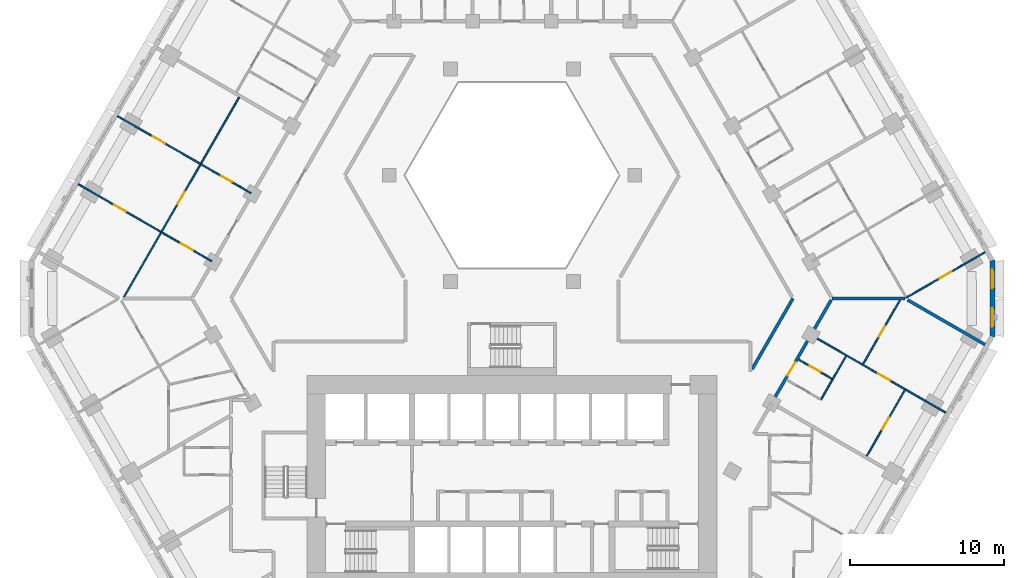
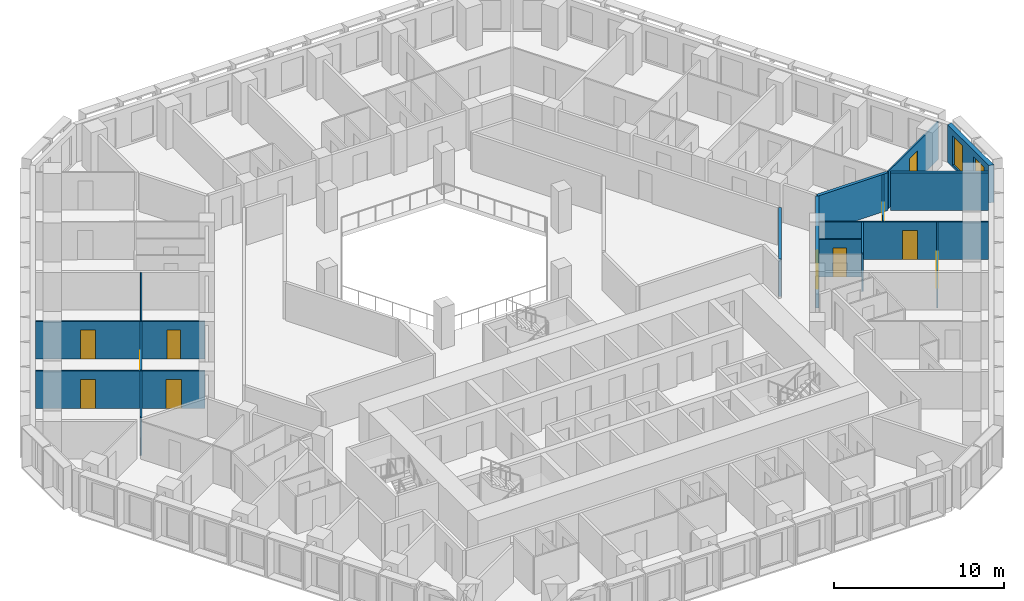
# One storey, part 8 of 21: 16 walls, 11 doors, 2 windows, 13 openings.
"""IFC4 building model written with IfcOpenShell, lengths in metres."""

from ifc_helpers import new_model, si_unit, direction, frame, frame_2d, origin, place, context, subcontext, project, spatial, polyline, rectangle, outline, extrude, material, layer, layer_set, type_object, element, fill, save


model = new_model("IFC4")

# Units and contexts
model_context = context("Model", 3, precision=1e-05, world=origin(), true_north=direction((0.0, 1.0)))
body_context = subcontext(model_context, "Body", "Model", "MODEL_VIEW")
ifc_project = project(units=[si_unit("LENGTHUNIT", "METRE"), si_unit("AREAUNIT", "SQUARE_METRE"), si_unit("VOLUMEUNIT", "CUBIC_METRE"), si_unit("PLANEANGLEUNIT", "RADIAN"), si_unit("MASSUNIT", "GRAM", prefix="KILO")], contexts=[model_context])

# Site, building, storey
site_placement = place(None, origin())
site = spatial("IfcSite", under=ifc_project, at=site_placement, CompositionType="ELEMENT")
building_placement = place(site_placement, origin())
building = spatial("IfcBuilding", under=site, at=building_placement, Name="Beryl Residences", CompositionType="ELEMENT")
storey_placement = place(building_placement, frame((0.0, 0.0, 29.39990234375)))
storey = spatial("IfcBuildingStorey", under=building, at=storey_placement, Name="L08", CompositionType="ELEMENT", Elevation=29.39990234375)

# Wall, openings, windows
ifc_material_1 = material(Name="Composite metal panel with mineral wool insulation")
ifc_layer_1 = layer(ifc_material_1, 0.300048828125)
ifc_layer_set_1 = layer_set([ifc_layer_1], Name="ES1 pale metal composite panel wall 300 mm")
wall_type_1 = type_object("IfcWallType", Name="ES1 pale metal composite panel wall 300 mm", PredefinedType="SOLIDWALL", material=ifc_layer_set_1)
wall_1_placement = place(storey_placement, frame((31.199951171875, -2.5, 0.0), z_axis=(0.0, 0.0, 1.0), x_axis=(0.0, 1.0, 0.0)))
wall_1 = element("IfcWall", 1, at=wall_1_placement, inside=storey, type_object=wall_type_1, Name="ES1 external wall L08 SE-NE", PredefinedType="SOLIDWALL", context=body_context, shape_type="SweptSolid", body=[
    extrude(outline(polyline([(0.0, -0.14990234375), (5.0, -0.14990234375), (4.919677734375, 0.14990234375), (0.080322265625, 0.14990234375), (0.0, -0.14990234375)])), origin(), (0.0, 0.0, 1.0), 2.7001953125),
])
opening_1_placement = place(wall_1_placement, frame((0.64990234375, 0.0, 0.14990234375)))
opening_1 = element("IfcOpeningElement", 2, at=opening_1_placement, cuts=wall_1, Name="Opening W2", PredefinedType="OPENING", context=body_context, shape_type="SweptSolid", body=[
    extrude(rectangle(XDim=1.199951171875, YDim=2.10009765625, at=frame_2d((0.60009765625, 1.050048828125))), frame((0.0, 0.159912109375, 0.0), z_axis=(0.0, -1.0, 0.0), x_axis=(1.0, 0.0, 0.0)), (0.0, 0.0, 1.0), 0.320068359375),
])
opening_2_placement = place(wall_1_placement, frame((3.14990234375, 0.0, 0.14990234375)))
opening_2 = element("IfcOpeningElement", 3, at=opening_2_placement, cuts=wall_1, Name="Opening W2", PredefinedType="OPENING", context=body_context, shape_type="SweptSolid", body=[
    extrude(rectangle(XDim=1.199951171875, YDim=2.10009765625, at=frame_2d((0.60009765625, 1.050048828125))), frame((0.0, 0.159912109375, 0.0), z_axis=(0.0, -1.0, 0.0), x_axis=(1.0, 0.0, 0.0)), (0.0, 0.0, 1.0), 0.320068359375),
])
ifc_material_2 = material(Name="Aluminium and clear glass", Category="aluminium")
window_type = type_object("IfcWindowType", Name="W2 chamfer window 1200 x 2100 mm", PartitioningType="SINGLE_PANEL", PredefinedType="WINDOW", material=ifc_material_2)
window_1_placement = place(opening_1_placement, origin())
window_1 = element("IfcWindow", 4, at=window_1_placement, inside=storey, type_object=window_type, Name="W2 window L08 SE-NE 1", OverallHeight=2.10009765625, OverallWidth=1.199951171875, PartitioningType="SINGLE_PANEL", PredefinedType="WINDOW", context=body_context, shape_type="SweptSolid", body=[
    extrude(rectangle(XDim=1.199951171875, YDim=2.10009765625, at=frame_2d((0.60009765625, 1.050048828125))), frame((0.0, 0.030029296875, 0.0), z_axis=(0.0, -1.0, 0.0), x_axis=(1.0, 0.0, 0.0)), (0.0, 0.0, 1.0), 0.06005859375),
])
fill(opening_1, window_1)
window_2_placement = place(opening_2_placement, origin())
window_2 = element("IfcWindow", 5, at=window_2_placement, inside=storey, type_object=window_type, Name="W2 window L08 SE-NE 2", OverallHeight=2.10009765625, OverallWidth=1.199951171875, PartitioningType="SINGLE_PANEL", PredefinedType="WINDOW", context=body_context, shape_type="SweptSolid", body=[
    extrude(rectangle(XDim=1.199951171875, YDim=2.10009765625, at=frame_2d((0.60009765625, 1.050048828125))), frame((0.0, 0.030029296875, 0.0), z_axis=(0.0, -1.0, 0.0), x_axis=(1.0, 0.0, 0.0)), (0.0, 0.0, 1.0), 0.06005859375),
])
fill(opening_2, window_2)

# Wall, opening, door
ifc_material_3 = material(Name="Gypsum board partition on steel studs", Category="steel")
ifc_layer_2 = layer(ifc_material_3, 0.10009765625)
ifc_layer_set_2 = layer_set([ifc_layer_2], Name="PT1 partition 100 mm gypsum board on steel studs")
wall_type_2 = type_object("IfcWallType", Name="PT1 partition 100 mm gypsum board on steel studs", PredefinedType="PARTITIONING", material=ifc_layer_set_2)
wall_2_placement = place(storey_placement, frame((-28.1640625, 7.4189453125, 0.0), z_axis=(0.0, 0.0, 1.0), x_axis=(0.86607068519, -0.499921562103, 0.0)))
wall_2 = element("IfcWall", 6, at=wall_2_placement, inside=storey, type_object=wall_type_2, Name="Wall PT1 L08 014", PredefinedType="PARTITIONING", context=body_context, shape_type="SweptSolid", body=[
    extrude(rectangle(XDim=6.22705078125, YDim=0.10009765625, at=frame_2d((3.113525390625, 0.0))), origin(), (0.0, 0.0, 1.0), 2.7001953125),
])
opening_3_placement = place(wall_2_placement, frame((2.6630859375, 0.0, 0.0)))
opening_3 = element("IfcOpeningElement", 7, at=opening_3_placement, cuts=wall_2, Name="Opening D0167", PredefinedType="OPENING", context=body_context, shape_type="SweptSolid", body=[
    extrude(rectangle(XDim=0.89990234375, YDim=2.10009765625, at=frame_2d((0.449951171875, 1.050048828125))), frame((0.0, 0.06005859375, 0.0), z_axis=(0.0, -1.0, 0.0), x_axis=(1.0, 0.0, 0.0)), (0.0, 0.0, 1.0), 0.1201171875),
])
ifc_material_4 = material(Name="Timber door leaf", Category="wood")
door_type_1 = type_object("IfcDoorType", Name="D2 room door 900 x 2100 mm", OperationType="SINGLE_SWING_LEFT", PredefinedType="DOOR", material=ifc_material_4)
door_1_placement = place(opening_3_placement, origin())
door_1 = element("IfcDoor", 8, at=door_1_placement, inside=storey, type_object=door_type_1, Name="Door D0167 L08 001", OperationType="SINGLE_SWING_LEFT", OverallHeight=2.10009765625, OverallWidth=0.89990234375, PredefinedType="DOOR", context=body_context, shape_type="SweptSolid", body=[
    extrude(rectangle(XDim=0.89990234375, YDim=2.10009765625, at=frame_2d((0.449951171875, 1.050048828125))), frame((0.0, 0.02490234375, 0.0), z_axis=(0.0, -1.0, 0.0), x_axis=(1.0, 0.0, 0.0)), (0.0, 0.0, 1.0), 0.050048828125),
])
fill(opening_3, door_1)

wall_3_placement = place(storey_placement, frame((-25.611083984375, 11.839111328125, 0.0), z_axis=(0.0, 0.0, 1.0), x_axis=(0.866031483044, -0.499989470266, 0.0)))
wall_3 = element("IfcWall", 9, at=wall_3_placement, inside=storey, type_object=wall_type_2, Name="Wall PT1 L08 015", PredefinedType="PARTITIONING", context=body_context, shape_type="SweptSolid", body=[
    extrude(rectangle(XDim=6.226318359375, YDim=0.10009765625, at=frame_2d((3.11328125, 0.0))), origin(), (0.0, 0.0, 1.0), 2.7001953125),
])
opening_4_placement = place(wall_3_placement, frame((2.6630859375, 0.0, 0.0)))
opening_4 = element("IfcOpeningElement", 10, at=opening_4_placement, cuts=wall_3, Name="Opening D0168", PredefinedType="OPENING", context=body_context, shape_type="SweptSolid", body=[
    extrude(rectangle(XDim=0.89990234375, YDim=2.10009765625, at=frame_2d((0.449951171875, 1.050048828125))), frame((0.0, 0.06005859375, 0.0), z_axis=(0.0, -1.0, 0.0), x_axis=(1.0, 0.0, 0.0)), (0.0, 0.0, 1.0), 0.1201171875),
])
door_2_placement = place(opening_4_placement, origin())
door_2 = element("IfcDoor", 11, at=door_2_placement, inside=storey, type_object=door_type_1, Name="Door D0168 L08 001", OperationType="SINGLE_SWING_RIGHT", OverallHeight=2.10009765625, OverallWidth=0.89990234375, PredefinedType="DOOR", context=body_context, shape_type="SweptSolid", body=[
    extrude(rectangle(XDim=0.89990234375, YDim=2.10009765625, at=frame_2d((0.449951171875, 1.050048828125))), frame((0.0, 0.02490234375, 0.0), z_axis=(0.0, -1.0, 0.0), x_axis=(1.0, 0.0, 0.0)), (0.0, 0.0, 1.0), 0.050048828125),
])
fill(opening_4, door_2)

wall_4_placement = place(storey_placement, frame((18.610107421875, -3.966064453125, 0.0), z_axis=(0.0, 0.0, 1.0), x_axis=(0.865958718457, -0.500115484592, 0.0)))
wall_4 = element("IfcWall", 12, at=wall_4_placement, inside=storey, type_object=wall_type_2, Name="Wall PT1 L08 019", PredefinedType="PARTITIONING", context=body_context, shape_type="SweptSolid", body=[
    extrude(rectangle(XDim=2.50927734375, YDim=0.10009765625, at=frame_2d((1.254638671875, 0.0))), origin(), (0.0, 0.0, 1.0), 2.7001953125),
])
opening_5_placement = place(wall_4_placement, frame((0.830078125, 0.0, 0.0)))
opening_5 = element("IfcOpeningElement", 13, at=opening_5_placement, cuts=wall_4, Name="Opening D0124", PredefinedType="OPENING", context=body_context, shape_type="SweptSolid", body=[
    extrude(rectangle(XDim=0.800048828125, YDim=2.10009765625, at=frame_2d((0.39990234375, 1.050048828125))), frame((0.0, 0.06005859375, 0.0), z_axis=(0.0, -1.0, 0.0), x_axis=(1.0, 0.0, 0.0)), (0.0, 0.0, 1.0), 0.1201171875),
])
ifc_material_5 = material(Name="Timber door leaf", Category="wood")
door_type_2 = type_object("IfcDoorType", Name="D3 bathroom door 800 x 2100 mm", OperationType="SINGLE_SWING_LEFT", PredefinedType="DOOR", material=ifc_material_5)
door_3_placement = place(opening_5_placement, origin())
door_3 = element("IfcDoor", 14, at=door_3_placement, inside=storey, type_object=door_type_2, Name="Door D0124 L08 001", OperationType="SINGLE_SWING_RIGHT", OverallHeight=2.10009765625, OverallWidth=0.800048828125, PredefinedType="DOOR", context=body_context, shape_type="SweptSolid", body=[
    extrude(rectangle(XDim=0.800048828125, YDim=2.10009765625, at=frame_2d((0.39990234375, 1.050048828125))), frame((0.0, 0.02490234375, 0.0), z_axis=(0.0, -1.0, 0.0), x_axis=(1.0, 0.0, 0.0)), (0.0, 0.0, 1.0), 0.050048828125),
])
fill(opening_5, door_3)

wall_5_placement = place(storey_placement, frame((19.5029296875, -2.4189453125, 0.0), z_axis=(0.0, 0.0, 1.0), x_axis=(0.866047370643, -0.499961950354, 0.0)))
wall_5 = element("IfcWall", 15, at=wall_5_placement, inside=storey, type_object=wall_type_2, Name="Wall PT1 L08 022", PredefinedType="PARTITIONING", context=body_context, shape_type="SweptSolid", body=[
    extrude(rectangle(XDim=10.000732421875, YDim=0.10009765625, at=frame_2d((5.00048828125, 0.0))), origin(), (0.0, 0.0, 1.0), 2.7001953125),
])
opening_6_placement = place(wall_5_placement, frame((4.912109375, 0.0, 0.0)))
opening_6 = element("IfcOpeningElement", 16, at=opening_6_placement, cuts=wall_5, Name="Opening D0126", PredefinedType="OPENING", context=body_context, shape_type="SweptSolid", body=[
    extrude(rectangle(XDim=0.89990234375, YDim=2.10009765625, at=frame_2d((0.449951171875, 1.050048828125))), frame((0.0, 0.06005859375, 0.0), z_axis=(0.0, -1.0, 0.0), x_axis=(1.0, 0.0, 0.0)), (0.0, 0.0, 1.0), 0.1201171875),
])
door_4_placement = place(opening_6_placement, origin())
door_4 = element("IfcDoor", 17, at=door_4_placement, inside=storey, type_object=door_type_1, Name="Door D0126 L08 001", OperationType="SINGLE_SWING_RIGHT", OverallHeight=2.10009765625, OverallWidth=0.89990234375, PredefinedType="DOOR", context=body_context, shape_type="SweptSolid", body=[
    extrude(rectangle(XDim=0.89990234375, YDim=2.10009765625, at=frame_2d((0.449951171875, 1.050048828125))), frame((0.0, 0.02490234375, 0.0), z_axis=(0.0, -1.0, 0.0), x_axis=(1.0, 0.0, 0.0)), (0.0, 0.0, 1.0), 0.050048828125),
])
fill(opening_6, door_4)

# Wall
wall_6_placement = place(storey_placement, frame((20.06201171875, -6.571044921875, 0.0), z_axis=(0.0, 0.0, 1.0), x_axis=(0.49983032932, 0.866123341039, 0.0)))
element("IfcWall", 18, at=wall_6_placement, inside=storey, type_object=wall_type_2, Name="Wall PT1 L08 035", PredefinedType="PARTITIONING", context=body_context, shape_type="SweptSolid", body=[
    extrude(rectangle(XDim=3.265380859375, YDim=0.10009765625, at=frame_2d((1.6328125, 0.0))), origin(), (0.0, 0.0, 1.0), 2.7001953125),
])

# Wall, opening, door
wall_7_placement = place(storey_placement, frame((22.797119140625, -4.262939453125, 0.0), z_axis=(0.0, 0.0, 1.0), x_axis=(0.499820637322, 0.866128934112, 0.0)))
wall_7 = element("IfcWall", 19, at=wall_7_placement, inside=storey, type_object=wall_type_2, Name="Wall PT1 L08 036", PredefinedType="PARTITIONING", context=body_context, shape_type="SweptSolid", body=[
    extrude(rectangle(XDim=4.807373046875, YDim=0.10009765625, at=frame_2d((2.40380859375, 0.0))), origin(), (0.0, 0.0, 1.0), 2.7001953125),
])
opening_7_placement = place(wall_7_placement, frame((2.037109375, 0.0, 0.0)))
opening_7 = element("IfcOpeningElement", 20, at=opening_7_placement, cuts=wall_7, Name="Opening D0127", PredefinedType="OPENING", context=body_context, shape_type="SweptSolid", body=[
    extrude(rectangle(XDim=0.800048828125, YDim=2.10009765625, at=frame_2d((0.39990234375, 1.050048828125))), frame((0.0, 0.06005859375, 0.0), z_axis=(0.0, -1.0, 0.0), x_axis=(1.0, 0.0, 0.0)), (0.0, 0.0, 1.0), 0.1201171875),
])
door_5_placement = place(opening_7_placement, origin())
door_5 = element("IfcDoor", 21, at=door_5_placement, inside=storey, type_object=door_type_2, Name="Door D0127 L08 001", OperationType="SINGLE_SWING_LEFT", OverallHeight=2.10009765625, OverallWidth=0.800048828125, PredefinedType="DOOR", context=body_context, shape_type="SweptSolid", body=[
    extrude(rectangle(XDim=0.800048828125, YDim=2.10009765625, at=frame_2d((0.39990234375, 1.050048828125))), frame((0.0, 0.02490234375, 0.0), z_axis=(0.0, -1.0, 0.0), x_axis=(1.0, 0.0, 0.0)), (0.0, 0.0, 1.0), 0.050048828125),
])
fill(opening_7, door_5)

wall_8_placement = place(storey_placement, frame((23.037109375, -10.238037109375, 0.0), z_axis=(0.0, 0.0, 1.0), x_axis=(0.49999264683, 0.866029649098, 0.0)))
wall_8 = element("IfcWall", 22, at=wall_8_placement, inside=storey, type_object=wall_type_2, Name="Wall PT1 L08 037", PredefinedType="PARTITIONING", context=body_context, shape_type="SweptSolid", body=[
    extrude(rectangle(XDim=4.95361328125, YDim=0.10009765625, at=frame_2d((2.476806640625, 0.0))), origin(), (0.0, 0.0, 1.0), 2.7001953125),
])
opening_8_placement = place(wall_8_placement, frame((2.001953125, 0.0, 0.0)))
opening_8 = element("IfcOpeningElement", 23, at=opening_8_placement, cuts=wall_8, Name="Opening D0125", PredefinedType="OPENING", context=body_context, shape_type="SweptSolid", body=[
    extrude(rectangle(XDim=0.89990234375, YDim=2.10009765625, at=frame_2d((0.449951171875, 1.050048828125))), frame((0.0, 0.06005859375, 0.0), z_axis=(0.0, -1.0, 0.0), x_axis=(1.0, 0.0, 0.0)), (0.0, 0.0, 1.0), 0.1201171875),
])
door_6_placement = place(opening_8_placement, origin())
door_6 = element("IfcDoor", 24, at=door_6_placement, inside=storey, type_object=door_type_1, Name="Door D0125 L08 001", OperationType="SINGLE_SWING_LEFT", OverallHeight=2.10009765625, OverallWidth=0.89990234375, PredefinedType="DOOR", context=body_context, shape_type="SweptSolid", body=[
    extrude(rectangle(XDim=0.89990234375, YDim=2.10009765625, at=frame_2d((0.449951171875, 1.050048828125))), frame((0.0, 0.02490234375, 0.0), z_axis=(0.0, -1.0, 0.0), x_axis=(1.0, 0.0, 0.0)), (0.0, 0.0, 1.0), 0.050048828125),
])
fill(opening_8, door_6)

wall_9_placement = place(storey_placement, frame((-25.199951171875, 0.09912109375, 0.0), z_axis=(0.0, 0.0, 1.0), x_axis=(0.49997477318, 0.866039968006, 0.0)))
wall_9 = element("IfcWall", 25, at=wall_9_placement, inside=storey, type_object=wall_type_2, Name="Wall PT1 L08 039", PredefinedType="PARTITIONING", context=body_context, shape_type="SweptSolid", body=[
    extrude(rectangle(XDim=14.964599609375, YDim=0.10009765625, at=frame_2d((7.482421875, 0.0))), origin(), (0.0, 0.0, 1.0), 2.7001953125),
])
opening_9_placement = place(wall_9_placement, frame((6.9599609375, 0.0, 0.0)))
opening_9 = element("IfcOpeningElement", 26, at=opening_9_placement, cuts=wall_9, Name="Opening D0164", PredefinedType="OPENING", context=body_context, shape_type="SweptSolid", body=[
    extrude(rectangle(XDim=0.89990234375, YDim=2.10009765625, at=frame_2d((0.449951171875, 1.050048828125))), frame((0.0, 0.06005859375, 0.0), z_axis=(0.0, -1.0, 0.0), x_axis=(1.0, 0.0, 0.0)), (0.0, 0.0, 1.0), 0.1201171875),
])
door_7_placement = place(opening_9_placement, origin())
door_7 = element("IfcDoor", 27, at=door_7_placement, inside=storey, type_object=door_type_1, Name="Door D0164 L08 001", OperationType="SINGLE_SWING_RIGHT", OverallHeight=2.10009765625, OverallWidth=0.89990234375, PredefinedType="DOOR", context=body_context, shape_type="SweptSolid", body=[
    extrude(rectangle(XDim=0.89990234375, YDim=2.10009765625, at=frame_2d((0.449951171875, 1.050048828125))), frame((0.0, 0.02490234375, 0.0), z_axis=(0.0, -1.0, 0.0), x_axis=(1.0, 0.0, 0.0)), (0.0, 0.0, 1.0), 0.050048828125),
])
fill(opening_9, door_7)

wall_10_placement = place(storey_placement, frame((25.587890625, 0.041015625, 0.0), z_axis=(0.0, 0.0, 1.0), x_axis=(0.866113484451, 0.499847408768, 0.0)))
wall_10 = element("IfcWall", 28, at=wall_10_placement, inside=storey, type_object=wall_type_2, Name="Wall PT1 L08 063", PredefinedType="PARTITIONING", context=body_context, shape_type="SweptSolid", body=[
    extrude(rectangle(XDim=5.919677734375, YDim=0.10009765625, at=frame_2d((2.9599609375, 0.0))), origin(), (0.0, 0.0, 1.0), 2.7001953125),
])
opening_10_placement = place(wall_10_placement, frame((2.510009765625, 0.0, 0.0)))
opening_10 = element("IfcOpeningElement", 29, at=opening_10_placement, cuts=wall_10, Name="Opening D0133", PredefinedType="OPENING", context=body_context, shape_type="SweptSolid", body=[
    extrude(rectangle(XDim=0.89990234375, YDim=2.10009765625, at=frame_2d((0.449951171875, 1.050048828125))), frame((0.0, 0.06005859375, 0.0), z_axis=(0.0, -1.0, 0.0), x_axis=(1.0, 0.0, 0.0)), (0.0, 0.0, 1.0), 0.1201171875),
])
door_8_placement = place(opening_10_placement, origin())
door_8 = element("IfcDoor", 30, at=door_8_placement, inside=storey, type_object=door_type_1, Name="Door D0133 L08 001", OperationType="SINGLE_SWING_LEFT", OverallHeight=2.10009765625, OverallWidth=0.89990234375, PredefinedType="DOOR", context=body_context, shape_type="SweptSolid", body=[
    extrude(rectangle(XDim=0.89990234375, YDim=2.10009765625, at=frame_2d((0.449951171875, 1.050048828125))), frame((0.0, 0.02490234375, 0.0), z_axis=(0.0, -1.0, 0.0), x_axis=(1.0, 0.0, 0.0)), (0.0, 0.0, 1.0), 0.050048828125),
])
fill(opening_10, door_8)

wall_11_placement = place(storey_placement, frame((-22.77099609375, 4.305908203125, 0.0), z_axis=(0.0, 0.0, 1.0), x_axis=(0.866008894869, -0.50002859319, 0.0)))
wall_11 = element("IfcWall", 31, at=wall_11_placement, inside=storey, type_object=wall_type_2, Name="Wall PT1 L08 073", PredefinedType="PARTITIONING", context=body_context, shape_type="SweptSolid", body=[
    extrude(rectangle(XDim=3.773681640625, YDim=0.10009765625, at=frame_2d((1.88671875, 0.0))), origin(), (0.0, 0.0, 1.0), 2.7001953125),
])
opening_11_placement = place(wall_11_placement, frame((1.486083984375, 0.0, 0.0)))
opening_11 = element("IfcOpeningElement", 32, at=opening_11_placement, cuts=wall_11, Name="Opening D0165", PredefinedType="OPENING", context=body_context, shape_type="SweptSolid", body=[
    extrude(rectangle(XDim=0.89990234375, YDim=2.10009765625, at=frame_2d((0.449951171875, 1.050048828125))), frame((0.0, 0.06005859375, 0.0), z_axis=(0.0, -1.0, 0.0), x_axis=(1.0, 0.0, 0.0)), (0.0, 0.0, 1.0), 0.1201171875),
])
door_9_placement = place(opening_11_placement, origin())
door_9 = element("IfcDoor", 33, at=door_9_placement, inside=storey, type_object=door_type_1, Name="Door D0165 L08 001", OperationType="SINGLE_SWING_LEFT", OverallHeight=2.10009765625, OverallWidth=0.89990234375, PredefinedType="DOOR", context=body_context, shape_type="SweptSolid", body=[
    extrude(rectangle(XDim=0.89990234375, YDim=2.10009765625, at=frame_2d((0.449951171875, 1.050048828125))), frame((0.0, 0.02490234375, 0.0), z_axis=(0.0, -1.0, 0.0), x_axis=(1.0, 0.0, 0.0)), (0.0, 0.0, 1.0), 0.050048828125),
])
fill(opening_11, door_9)

wall_12_placement = place(storey_placement, frame((-20.218994140625, 8.72607421875, 0.0), z_axis=(0.0, 0.0, 1.0), x_axis=(0.866008894869, -0.50002859319, 0.0)))
wall_12 = element("IfcWall", 34, at=wall_12_placement, inside=storey, type_object=wall_type_2, Name="Wall PT1 L08 074", PredefinedType="PARTITIONING", context=body_context, shape_type="SweptSolid", body=[
    extrude(rectangle(XDim=3.773681640625, YDim=0.10009765625, at=frame_2d((1.88671875, 0.0))), origin(), (0.0, 0.0, 1.0), 2.7001953125),
])
opening_12_placement = place(wall_12_placement, frame((1.537109375, 0.0, 0.0)))
opening_12 = element("IfcOpeningElement", 35, at=opening_12_placement, cuts=wall_12, Name="Opening D0166", PredefinedType="OPENING", context=body_context, shape_type="SweptSolid", body=[
    extrude(rectangle(XDim=0.800048828125, YDim=2.10009765625, at=frame_2d((0.39990234375, 1.050048828125))), frame((0.0, 0.06005859375, 0.0), z_axis=(0.0, -1.0, 0.0), x_axis=(1.0, 0.0, 0.0)), (0.0, 0.0, 1.0), 0.1201171875),
])
door_10_placement = place(opening_12_placement, origin())
door_10 = element("IfcDoor", 36, at=door_10_placement, inside=storey, type_object=door_type_2, Name="Door D0166 L08 001", OperationType="SINGLE_SWING_RIGHT", OverallHeight=2.10009765625, OverallWidth=0.800048828125, PredefinedType="DOOR", context=body_context, shape_type="SweptSolid", body=[
    extrude(rectangle(XDim=0.800048828125, YDim=2.10009765625, at=frame_2d((0.39990234375, 1.050048828125))), frame((0.0, 0.02490234375, 0.0), z_axis=(0.0, -1.0, 0.0), x_axis=(1.0, 0.0, 0.0)), (0.0, 0.0, 1.0), 0.050048828125),
])
fill(opening_12, door_10)

# Walls
ifc_material_6 = material(Name="Acoustic double stud gypsum board wall")
ifc_layer_3 = layer(ifc_material_6, 0.199951171875)
ifc_layer_set_3 = layer_set([ifc_layer_3], Name="PT3 party wall 200 mm acoustic double stud")
wall_type_3 = type_object("IfcWallType", Name="PT3 party wall 200 mm acoustic double stud", PredefinedType="PARTITIONING", material=ifc_layer_set_3)
wall_13_placement = place(storey_placement, frame((25.693115234375, -0.09912109375, 0.0), z_axis=(0.0, 0.0, 1.0), x_axis=(0.866032775405, -0.499987231761, 0.0)))
element("IfcWall", 37, at=wall_13_placement, inside=storey, type_object=wall_type_3, Name="Wall PT3 L08 010", PredefinedType="PARTITIONING", context=body_context, shape_type="SweptSolid", body=[
    extrude(rectangle(XDim=5.800048828125, YDim=0.199951171875, at=frame_2d((2.89990234375, 0.0))), origin(), (0.0, 0.0, 1.0), 2.7001953125),
])
wall_14_placement = place(storey_placement, frame((20.783935546875, 0.0009765625, 0.0), z_axis=(0.0, 0.0, 1.0), x_axis=(1.0, 0.0, 0.0)))
element("IfcWall", 38, at=wall_14_placement, inside=storey, type_object=wall_type_3, Name="Wall PT3 L08 014", PredefinedType="PARTITIONING", context=body_context, shape_type="SweptSolid", body=[
    extrude(rectangle(XDim=4.736083984375, YDim=0.199951171875, at=frame_2d((2.3681640625, 0.0))), origin(), (0.0, 0.0, 1.0), 2.7001953125),
])
ifc_material_7 = material(Name="Double stud gypsum board wall")
ifc_layer_4 = layer(ifc_material_7, 0.199951171875)
ifc_layer_set_4 = layer_set([ifc_layer_4], Name="PT4 corridor wall 200 mm double stud")
wall_type_4 = type_object("IfcWallType", Name="PT4 corridor wall 200 mm double stud", PredefinedType="PARTITIONING", material=ifc_layer_set_4)
wall_15_placement = place(storey_placement, frame((15.60009765625, -4.5791015625, 0.0), z_axis=(0.0, 0.0, 1.0), x_axis=(0.499927597274, 0.866067201483, 0.0)))
element("IfcWall", 39, at=wall_15_placement, inside=storey, type_object=wall_type_4, Name="Wall PT4 L08 019", PredefinedType="PARTITIONING", context=body_context, shape_type="SweptSolid", body=[
    extrude(rectangle(XDim=5.288330078125, YDim=0.199951171875, at=frame_2d((2.64404296875, 0.0))), origin(), (0.0, 0.0, 1.0), 2.7001953125),
])

# Wall, opening, door
wall_16_placement = place(storey_placement, frame((16.9140625, -6.702880859375, 0.0), z_axis=(0.0, 0.0, 1.0), x_axis=(0.50003007663, 0.866008038338, 0.0)))
wall_16 = element("IfcWall", 40, at=wall_16_placement, inside=storey, type_object=wall_type_4, Name="Wall PT4 L08 021", PredefinedType="PARTITIONING", context=body_context, shape_type="SweptSolid", body=[
    extrude(rectangle(XDim=7.62548828125, YDim=0.199951171875, at=frame_2d((3.812744140625, 0.0))), origin(), (0.0, 0.0, 1.0), 2.7001953125),
])
opening_13_placement = place(wall_16_placement, frame((1.951904296875, 0.0, 0.0)))
opening_13 = element("IfcOpeningElement", 41, at=opening_13_placement, cuts=wall_16, Name="Opening D0122", PredefinedType="OPENING", context=body_context, shape_type="SweptSolid", body=[
    extrude(rectangle(XDim=1.0, YDim=2.10009765625, at=frame_2d((0.5, 1.050048828125))), frame((0.0, 0.10986328125, 0.0), z_axis=(0.0, -1.0, 0.0), x_axis=(1.0, 0.0, 0.0)), (0.0, 0.0, 1.0), 0.219970703125),
])
ifc_material_8 = material(Name="Timber door leaf", Category="wood")
door_type_3 = type_object("IfcDoorType", Name="D1 flat entrance door 1000 x 2100 mm", OperationType="SINGLE_SWING_LEFT", PredefinedType="DOOR", material=ifc_material_8)
door_11_placement = place(opening_13_placement, origin())
door_11 = element("IfcDoor", 42, at=door_11_placement, inside=storey, type_object=door_type_3, Name="Door D0122 L08 001", OperationType="SINGLE_SWING_RIGHT", OverallHeight=2.10009765625, OverallWidth=1.0, PredefinedType="DOOR", context=body_context, shape_type="SweptSolid", body=[
    extrude(rectangle(XDim=1.0, YDim=2.10009765625, at=frame_2d((0.5, 1.050048828125))), frame((0.0, 0.02490234375, 0.0), z_axis=(0.0, -1.0, 0.0), x_axis=(1.0, 0.0, 0.0)), (0.0, 0.0, 1.0), 0.050048828125),
])
fill(opening_13, door_11)

save(model, "model.ifc")
